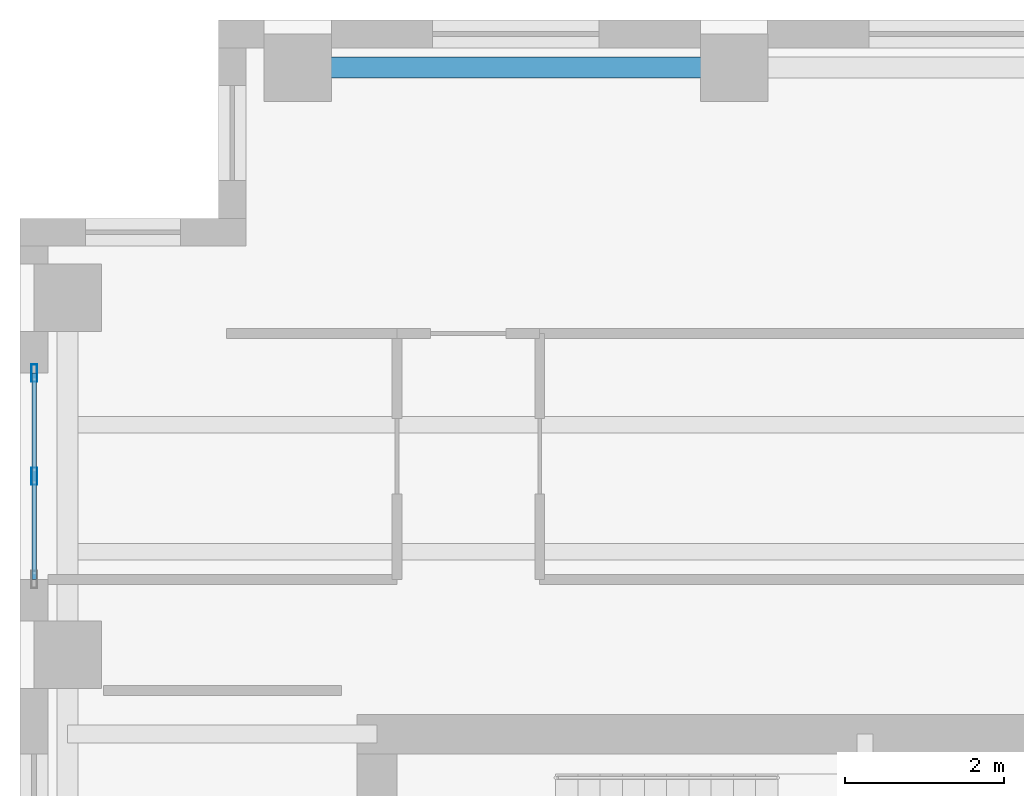
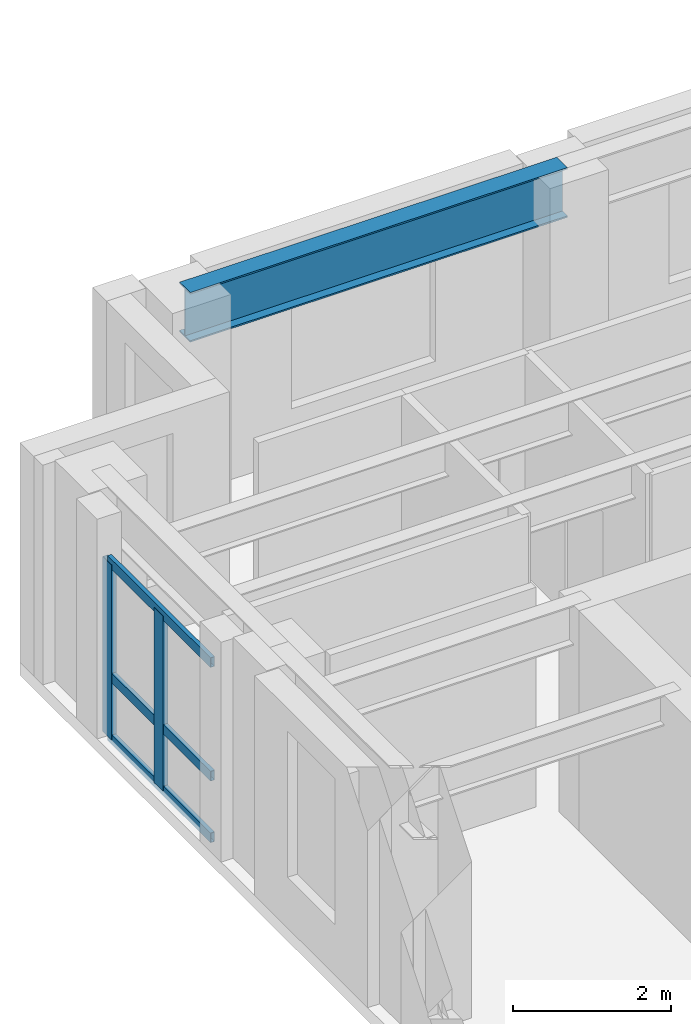
# One storey, part 4 of 10: 5 members, 1 beam, 1 element without a shape of its own.
"""IFC4 building model written with IfcOpenShell, lengths in metres."""

from ifc_helpers import new_model, si_unit, direction, frame, origin, origin_2d, place, context, subcontext, project, spatial, hollow_rectangle, i_section, extrude, source, transform, mapped, material, layer, layer_set, material_profile, profile_set, type_object, element, aggregate, save


model = new_model("IFC4")

# Units and contexts
model_context = context("Model", 3, precision=1e-05, world=origin(), true_north=direction((0.0, 1.0)))
body_context = subcontext(model_context, "Body", "Model", "MODEL_VIEW")
ifc_project = project(units=[si_unit("LENGTHUNIT", "METRE"), si_unit("AREAUNIT", "SQUARE_METRE"), si_unit("VOLUMEUNIT", "CUBIC_METRE"), si_unit("PLANEANGLEUNIT", "RADIAN"), si_unit("MASSUNIT", "GRAM", prefix="KILO")], contexts=[model_context])

# Site, building, storey
site_placement = place(None, origin())
site = spatial("IfcSite", under=ifc_project, at=site_placement, CompositionType="ELEMENT")
building_placement = place(site_placement, origin())
building = spatial("IfcBuilding", under=site, at=building_placement, Name="Kharzan Plaza Tower", CompositionType="ELEMENT")
storey_placement = place(building_placement, frame((0.0, 0.0, 270.0)))
storey = spatial("IfcBuildingStorey", under=building, at=storey_placement, Name="L73", CompositionType="ELEMENT", Elevation=270.0)

# Curtain wall, members
ifc_material_1 = material(Name="Unitised Bronze-Anodized Aluminium and Low-E Glass", Category="aluminium")
ifc_layer = layer(ifc_material_1, 0.199951171875)
ifc_layer_set = layer_set([ifc_layer], Name="Unitised Bronze-Anodized Aluminium and Low-E Glass")
curtain_wall_type = type_object("IfcCurtainWallType", Name="CW-EXEC-5", PredefinedType="NOTDEFINED", material=ifc_layer_set)
curtain_wall_placement = place(storey_placement, origin())
curtain_wall = element("IfcCurtainWall", 1, at=curtain_wall_placement, inside=storey, type_object=curtain_wall_type, Name="L73 Upper Executive Setback Panoramic Curtain Wall", PredefinedType="NOTDEFINED")
ifc_material_2 = material(Name="Anodized Bronze Aluminium", Category="aluminium")
ifc_material_profile_1 = material_profile(ifc_material_2, hollow_rectangle(XDim=0.074951171875, YDim=0.219970703125, WallThickness=0.00390625, at=origin_2d()), Name="ALU-M220x75x4")
ifc_profile_set_1 = profile_set([ifc_material_profile_1], Name="Anodized Bronze Aluminium")
member_type_1 = type_object("IfcMemberType", Name="MEM-CW-MUL200", PredefinedType="MULLION", material=ifc_profile_set_1)
shared_shape_1 = source(origin(), body_context, "Body", "SweptSolid", [
    extrude(hollow_rectangle(XDim=0.074951171875, YDim=0.219970703125, WallThickness=0.00390625, at=origin_2d()), origin(), (0.0, 0.0, 1.0), 2.699951171875),
])
member_1_placement = place(storey_placement, frame((0.179931640625, 32.75, 0.0), z_axis=(0.0, 0.0, 1.0), x_axis=(1.0, 0.0, 0.0)))
member_1 = element("IfcMember", 2, at=member_1_placement, type_object=member_type_1, Name="L73 Curtain-Wall Mullion 01", PredefinedType="MULLION", context=body_context, shape_type="MappedRepresentation", body=[
    mapped(shared_shape_1, transform((0.0, 0.0, 0.0), x_axis=(1.0, 0.0, 0.0), y_axis=(0.0, 1.0, 0.0), z_axis=(0.0, 0.0, 1.0))),
])
member_2_placement = place(storey_placement, frame((0.179931640625, 34.050048828125, 0.0), z_axis=(0.0, 0.0, 1.0), x_axis=(1.0, 0.0, 0.0)))
member_2 = element("IfcMember", 3, at=member_2_placement, type_object=member_type_1, Name="L73 Curtain-Wall Mullion 02", PredefinedType="MULLION", context=body_context, shape_type="MappedRepresentation", body=[
    mapped(shared_shape_1, transform((0.0, 0.0, 0.0), x_axis=(1.0, 0.0, 0.0), y_axis=(0.0, 1.0, 0.0), z_axis=(0.0, 0.0, 1.0))),
])

# Beam
ifc_material_3 = material(Name="Steel S355", Category="steel")
ifc_material_profile_2 = material_profile(ifc_material_3, i_section(OverallWidth=0.26708984375, OverallDepth=0.76611328125, WebThickness=0.014892578125, FlangeThickness=0.023681640625, at=origin_2d()), Name="W760x185")
ifc_profile_set_2 = profile_set([ifc_material_profile_2], Name="Steel S355")
beam_type = type_object("IfcBeamType", Name="BM-SP760B", PredefinedType="SPANDREL", material=ifc_profile_set_2)
shared_shape_2 = source(origin(), body_context, "Body", "SweptSolid", [
    extrude(i_section(OverallWidth=0.26708984375, OverallDepth=0.76611328125, WebThickness=0.014892578125, FlangeThickness=0.023681640625, at=origin_2d()), origin(), (0.0, 0.0, 1.0), 5.5),
])
beam_placement = place(storey_placement, frame((3.5, 37.89990234375, 3.01708984375), z_axis=(1.0, 0.0, 0.0), x_axis=(0.0, 1.0, 0.0)))
element("IfcBeam", 4, at=beam_placement, inside=storey, type_object=beam_type, Name="L73 Perimeter Tube Spandrel", PredefinedType="SPANDREL", context=body_context, shape_type="MappedRepresentation", body=[
    mapped(shared_shape_2, transform((0.0, 0.0, 0.0), x_axis=(1.0, 0.0, 0.0), y_axis=(0.0, 1.0, 0.0), z_axis=(0.0, 0.0, 1.0))),
])

# Member
ifc_material_profile_3 = material_profile(ifc_material_2, hollow_rectangle(XDim=0.06005859375, YDim=0.14990234375, WallThickness=0.00341796875, at=origin_2d()), Name="ALU-T150x60x3.5")
ifc_profile_set_3 = profile_set([ifc_material_profile_3], Name="Anodized Bronze Aluminium")
member_type_2 = type_object("IfcMemberType", Name="MEM-CW-TRN150", PredefinedType="USERDEFINED", material=ifc_profile_set_3)
shared_shape_3 = source(origin(), body_context, "Body", "SweptSolid", [
    extrude(hollow_rectangle(XDim=0.06005859375, YDim=0.14990234375, WallThickness=0.00341796875, at=origin_2d()), origin(), (0.0, 0.0, 1.0), 2.60009765625),
])
member_3_placement = place(storey_placement, frame((0.179931640625, 31.449951171875, 0.0), z_axis=(0.0, 1.0, 0.0), x_axis=(-1.0, 0.0, 0.0)))
member_3 = element("IfcMember", 5, at=member_3_placement, type_object=member_type_2, Name="L73 Curtain-Wall Transom 1", ObjectType="TRANSOM", PredefinedType="USERDEFINED", context=body_context, shape_type="MappedRepresentation", body=[
    mapped(shared_shape_3, transform((0.0, 0.0, 0.0), x_axis=(1.0, 0.0, 0.0), y_axis=(0.0, 1.0, 0.0), z_axis=(0.0, 0.0, 1.0))),
])

member_4_placement = place(storey_placement, frame((0.179931640625, 31.449951171875, 0.949951171875), z_axis=(0.0, 1.0, 0.0), x_axis=(-1.0, 0.0, 0.0)))
member_4 = element("IfcMember", 6, at=member_4_placement, type_object=member_type_2, Name="L73 Curtain-Wall Transom 2", ObjectType="TRANSOM", PredefinedType="USERDEFINED", context=body_context, shape_type="MappedRepresentation", body=[
    mapped(shared_shape_3, transform((0.0, 0.0, 0.0), x_axis=(1.0, 0.0, 0.0), y_axis=(0.0, 1.0, 0.0), z_axis=(0.0, 0.0, 1.0))),
])

member_5_placement = place(storey_placement, frame((0.179931640625, 31.449951171875, 2.699951171875), z_axis=(0.0, 1.0, 0.0), x_axis=(-1.0, 0.0, 0.0)))
member_5 = element("IfcMember", 7, at=member_5_placement, type_object=member_type_2, Name="L73 Curtain-Wall Transom 3", ObjectType="TRANSOM", PredefinedType="USERDEFINED", context=body_context, shape_type="MappedRepresentation", body=[
    mapped(shared_shape_3, transform((0.0, 0.0, 0.0), x_axis=(1.0, 0.0, 0.0), y_axis=(0.0, 1.0, 0.0), z_axis=(0.0, 0.0, 1.0))),
])

aggregate(curtain_wall, [member_1, member_2, member_3, member_4, member_5])

save(model, "model.ifc")
